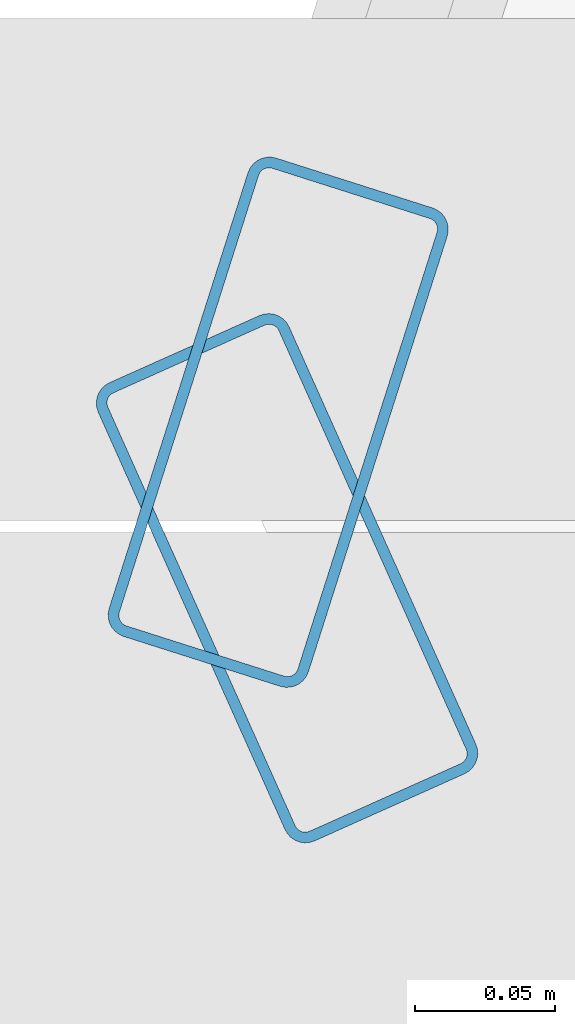
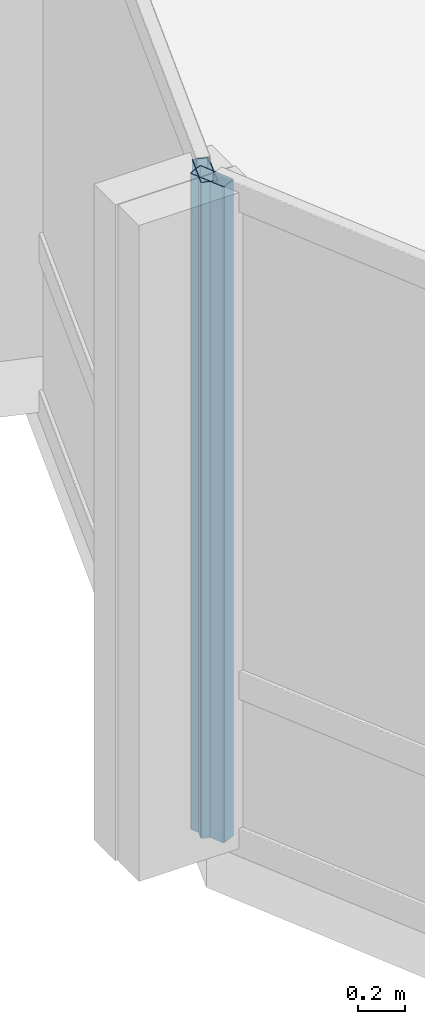
# One storey, part 6 of 19: 2 members, 2 elements without a shape of their own.
"""IFC4 building model written with IfcOpenShell, lengths in metres."""

from ifc_helpers import new_model, si_unit, direction, frame, origin, origin_2d, place, context, subcontext, project, spatial, hollow_rectangle, extrude, material, layer, layer_set, material_profile, profile_set, type_object, element, aggregate, save


model = new_model("IFC4")

# Units and contexts
model_context = context("Model", 3, precision=1e-05, world=origin(), true_north=direction((0.0, 1.0)))
body_context = subcontext(model_context, "Body", "Model", "MODEL_VIEW")
ifc_project = project(units=[si_unit("LENGTHUNIT", "METRE"), si_unit("AREAUNIT", "SQUARE_METRE"), si_unit("VOLUMEUNIT", "CUBIC_METRE"), si_unit("PLANEANGLEUNIT", "RADIAN"), si_unit("MASSUNIT", "GRAM", prefix="KILO")], contexts=[model_context])

# Site, building, storey
site_placement = place(None, origin())
site = spatial("IfcSite", under=ifc_project, at=site_placement, CompositionType="ELEMENT")
building_placement = place(site_placement, origin())
building = spatial("IfcBuilding", under=site, at=building_placement, Name="Solvaryn Broadcast Tower", CompositionType="ELEMENT")
storey_placement = place(building_placement, frame((0.0, 0.0, 240.800048828125)))
storey = spatial("IfcBuildingStorey", under=building, at=storey_placement, Name="L60", CompositionType="ELEMENT", Elevation=240.800048828125)

# Curtain wall, member
ifc_material_1 = material(Name="Aluminium and Terracotta Unitised Curtain Wall", Category="masonry")
ifc_layer = layer(ifc_material_1, 0.199951171875)
ifc_layer_set = layer_set([ifc_layer], Name="CW-SYS2-LOWMID")
curtain_wall_type = type_object("IfcCurtainWallType", Name="CW-SYS2-LOWMID", PredefinedType="NOTDEFINED", material=ifc_layer_set)
curtain_wall_1_placement = place(storey_placement, origin())
curtain_wall_1 = element("IfcCurtainWall", 1, at=curtain_wall_1_placement, inside=storey, type_object=curtain_wall_type, Name="L60 Curtain Wall DR1", PredefinedType="NOTDEFINED")
ifc_material_2 = material(Name="Anodised Aluminium 6063-T6", Category="aluminium")
ifc_material_profile = material_profile(ifc_material_2, hollow_rectangle(XDim=0.074951171875, YDim=0.179931640625, WallThickness=0.00390625, InnerFilletRadius=0.00390625, OuterFilletRadius=0.008056640625, at=origin_2d()))
ifc_profile_set = profile_set([ifc_material_profile], Name="Anodised Aluminium 6063-T6")
member_type = type_object("IfcMemberType", Name="CW-MUL-180", PredefinedType="MULLION", material=ifc_profile_set)
member_1_placement = place(storey_placement, frame((3.7470703125, 26.66455078125, 0.0), z_axis=(0.0, 0.0, 1.0), x_axis=(0.952794594701, -0.30361564569, 0.0)))
member_1 = element("IfcMember", 2, at=member_1_placement, type_object=member_type, Name="CWS2 mullion 2", PredefinedType="MULLION", context=body_context, shape_type="SweptSolid", body=[
    extrude(hollow_rectangle(XDim=0.074951171875, YDim=0.179931640625, WallThickness=0.00390625, InnerFilletRadius=0.00390625, OuterFilletRadius=0.008056640625, at=origin_2d()), origin(), (0.0, 0.0, 1.0), 3.419921875),
])
aggregate(curtain_wall_1, [member_1])

curtain_wall_2_placement = place(storey_placement, origin())
curtain_wall_2 = element("IfcCurtainWall", 3, at=curtain_wall_2_placement, inside=storey, type_object=curtain_wall_type, Name="L60 Curtain Wall DR2", PredefinedType="NOTDEFINED")
member_2_placement = place(storey_placement, frame((3.750244140625, 26.608642578125, 0.0), z_axis=(0.0, 0.0, 1.0), x_axis=(0.912773530574, 0.408466010682, 0.0)))
member_2 = element("IfcMember", 4, at=member_2_placement, type_object=member_type, Name="CWS2 mullion 1", PredefinedType="MULLION", context=body_context, shape_type="SweptSolid", body=[
    extrude(hollow_rectangle(XDim=0.074951171875, YDim=0.179931640625, WallThickness=0.00390625, InnerFilletRadius=0.00390625, OuterFilletRadius=0.008056640625, at=origin_2d()), origin(), (0.0, 0.0, 1.0), 3.419921875),
])
aggregate(curtain_wall_2, [member_2])

save(model, "model.ifc")
